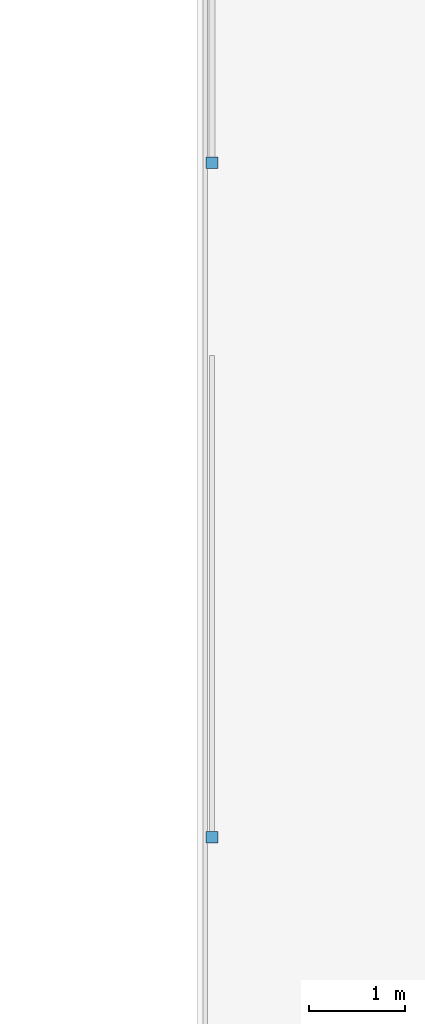
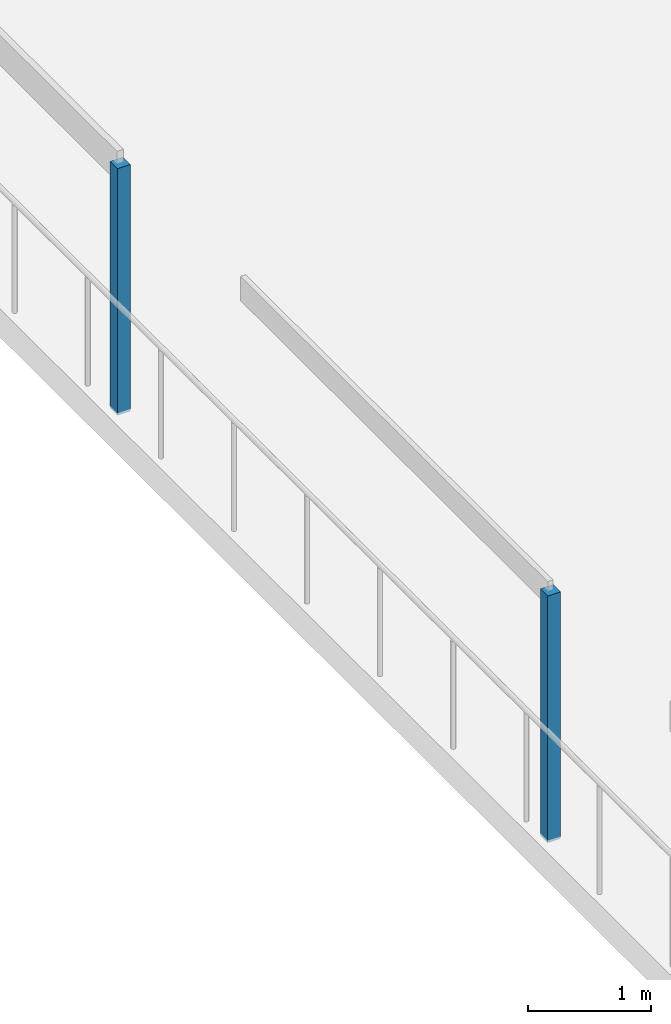
# One storey, part 61 of 74: 2 discrete accessories.
"""IFC4 building model written with IfcOpenShell, lengths in metres."""

from ifc_helpers import new_model, si_unit, direction, frame, origin, origin_2d, place, context, subcontext, project, spatial, rectangle, extrude, material, layer, layer_set, type_object, element, save


model = new_model("IFC4")

# Units and contexts
model_context = context("Model", 3, precision=1e-05, world=origin(), true_north=direction((0.0, 1.0)))
body_context = subcontext(model_context, "Body", "Model", "MODEL_VIEW")
ifc_project = project(units=[si_unit("LENGTHUNIT", "METRE"), si_unit("AREAUNIT", "SQUARE_METRE"), si_unit("VOLUMEUNIT", "CUBIC_METRE"), si_unit("PLANEANGLEUNIT", "RADIAN"), si_unit("MASSUNIT", "GRAM", prefix="KILO")], contexts=[model_context])

# Site, building, storey
site_placement = place(None, origin())
site = spatial("IfcSite", under=ifc_project, at=site_placement, CompositionType="ELEMENT")
building_placement = place(site_placement, origin())
building = spatial("IfcBuilding", under=site, at=building_placement, Name="Brinegate Civic Arena", CompositionType="ELEMENT")
storey_placement = place(building_placement, frame((0.0, 0.0, 19.199951171875)))
storey = spatial("IfcBuildingStorey", under=building, at=storey_placement, Name="L04", CompositionType="ELEMENT", Elevation=19.199951171875)

# Discrete accessories
ifc_material = material(Name="Galvanized hurricane steel", Category="steel")
ifc_layer = layer(ifc_material, 0.080078125, Name="Galvanized hurricane steel")
ifc_layer_set = layer_set([ifc_layer], Name="Galvanized hurricane steel")
discrete_accessory_type = type_object("IfcDiscreteAccessoryType", Name="BRACKET-FACADE-160", PredefinedType="BRACKET", material=ifc_layer_set)
for number, where, z_axis, x_axis, name in (
    (1, (36.14990234375, 76.0, -0.02490234375), (0.0, 0.0, 1.0), (1.0, 0.0, 0.0), "Storm Louvre Post Bracket BRK-SHD-LOG-007"),
    (2, (36.14990234375, 83.0, -0.02490234375), (0.0, 0.0, 1.0), (1.0, 0.0, 0.0), "Storm Louvre Post Bracket BRK-SHD-LOG-008"),
):
    element("IfcDiscreteAccessory", number, at=place(storey_placement, frame(where, z_axis=z_axis, x_axis=x_axis)), inside=storey, type_object=discrete_accessory_type, Name=name, PredefinedType="BRACKET", context=body_context, shape_type="SweptSolid", body=[
        extrude(rectangle(XDim=0.1201171875, YDim=0.1201171875, at=origin_2d()), origin(), (0.0, 0.0, 1.0), 2.449951171875),
    ])

save(model, "model.ifc")
